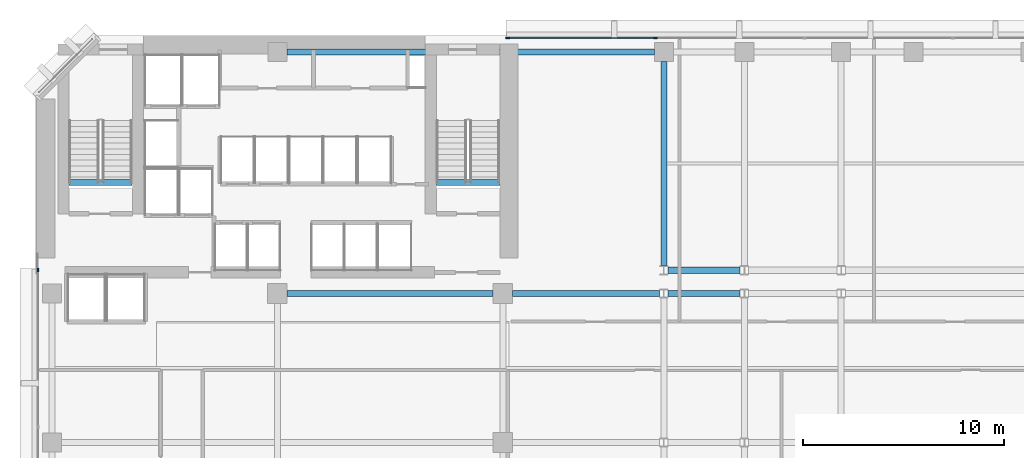
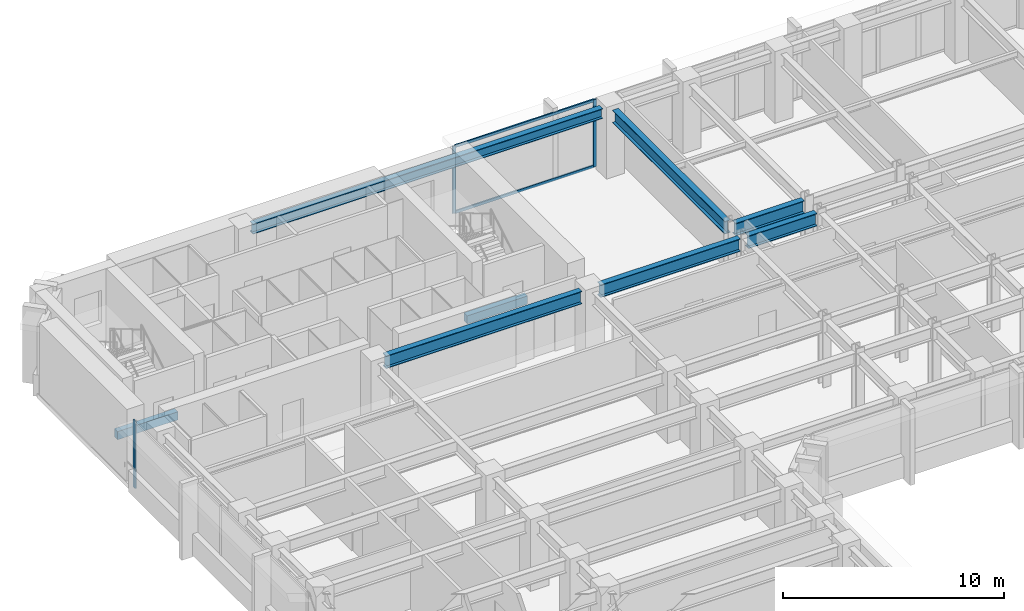
# One storey, part 4 of 13: 8 beams, 5 members, 2 elements without a shape of their own.
"""IFC4 building model written with IfcOpenShell, lengths in metres."""

from ifc_helpers import new_model, si_unit, direction, frame, origin, origin_2d, place, context, subcontext, project, spatial, rectangle, i_section, extrude, material, layer, layer_set, material_profile, profile_set, type_object, element, aggregate, save


model = new_model("IFC4")

# Units and contexts
model_context = context("Model", 3, precision=1e-05, world=origin(), true_north=direction((0.0, 1.0)))
body_context = subcontext(model_context, "Body", "Model", "MODEL_VIEW")
ifc_project = project(units=[si_unit("LENGTHUNIT", "METRE"), si_unit("AREAUNIT", "SQUARE_METRE"), si_unit("VOLUMEUNIT", "CUBIC_METRE"), si_unit("PLANEANGLEUNIT", "RADIAN"), si_unit("MASSUNIT", "GRAM", prefix="KILO")], contexts=[model_context])

# Site, building, storey
site_placement = place(None, origin())
site = spatial("IfcSite", under=ifc_project, at=site_placement, CompositionType="ELEMENT")
building_placement = place(site_placement, origin())
building = spatial("IfcBuilding", under=site, at=building_placement, Name="Kefirva Bronze Tower", CompositionType="ELEMENT")
storey_placement = place(building_placement, frame((0.0, 0.0, 98.669921875)))
storey = spatial("IfcBuildingStorey", under=building, at=storey_placement, Name="L23", CompositionType="ELEMENT", Elevation=98.669921875)

# Curtain wall, members
ifc_material_1 = material(Name="Bronze anodised aluminium", Category="aluminium")
ifc_layer = layer(ifc_material_1, 0.199951171875, Name="Bronze anodised aluminium")
ifc_layer_set = layer_set([ifc_layer], Name="Bronze anodised aluminium")
curtain_wall_type = type_object("IfcCurtainWallType", Name="Unitised Bronze Ribbon Curtain Wall Zone 1", PredefinedType="USERDEFINED", material=ifc_layer_set)
curtain_wall_1_placement = place(storey_placement, origin())
curtain_wall_1 = element("IfcCurtainWall", 1, at=curtain_wall_1_placement, inside=storey, type_object=curtain_wall_type, Name="L23 Curtain Wall 4", ObjectType="UNITISED CURTAIN WALL", PredefinedType="USERDEFINED")
ifc_material_profile_1 = material_profile(ifc_material_1, rectangle(XDim=0.074951171875, YDim=0.179931640625, at=origin_2d()), Name="ALU 75x180")
ifc_profile_set_1 = profile_set([ifc_material_profile_1], Name="Bronze anodised aluminium")
member_type_1 = type_object("IfcMemberType", Name="Bronze Mullion 75x180", PredefinedType="MULLION", material=ifc_profile_set_1)
member_1_placement = place(storey_placement, frame((30.7900390625, 45.8798828125, 0.0), z_axis=(0.0, 0.0, 1.0), x_axis=(0.0, -1.0, 0.0)))
member_1 = element("IfcMember", 2, at=member_1_placement, type_object=member_type_1, Name="CW-01 mullion 4", PredefinedType="MULLION", context=body_context, shape_type="SweptSolid", body=[
    extrude(rectangle(XDim=0.074951171875, YDim=0.179931640625, at=origin_2d()), origin(), (0.0, 0.0, 1.0), 3.7099609375),
])
member_2_placement = place(storey_placement, frame((23.4423828125, 45.8798828125, 0.0), z_axis=(0.0, 0.0, 1.0), x_axis=(0.0, -1.0, 0.0)))
member_2 = element("IfcMember", 3, at=member_2_placement, type_object=member_type_1, Name="CW-01 mullion 5", PredefinedType="MULLION", context=body_context, shape_type="SweptSolid", body=[
    extrude(rectangle(XDim=0.074951171875, YDim=0.179931640625, at=origin_2d()), origin(), (0.0, 0.0, 1.0), 3.7099609375),
])

# Curtain wall, member
curtain_wall_2_placement = place(storey_placement, origin())
curtain_wall_2 = element("IfcCurtainWall", 4, at=curtain_wall_2_placement, inside=storey, type_object=curtain_wall_type, Name="L23 Curtain Wall 5", ObjectType="UNITISED CURTAIN WALL", PredefinedType="USERDEFINED")
member_3_placement = place(storey_placement, frame((0.1201171875, 34.357421875, 0.0), z_axis=(0.0, 0.0, 1.0), x_axis=(1.0, 0.0, 0.0)))
member_3 = element("IfcMember", 5, at=member_3_placement, type_object=member_type_1, Name="CW-01 mullion 1", PredefinedType="MULLION", context=body_context, shape_type="SweptSolid", body=[
    extrude(rectangle(XDim=0.074951171875, YDim=0.179931640625, at=origin_2d()), origin(), (0.0, 0.0, 1.0), 3.7099609375),
])
aggregate(curtain_wall_2, [member_3])

# Member
ifc_material_profile_2 = material_profile(ifc_material_1, rectangle(XDim=0.074951171875, YDim=0.14990234375, at=origin_2d()), Name="ALU 75x150")
ifc_profile_set_2 = profile_set([ifc_material_profile_2], Name="Bronze anodised aluminium")
member_type_2 = type_object("IfcMemberType", Name="Bronze Transom 75x150", PredefinedType="USERDEFINED", material=ifc_profile_set_2)
member_4_placement = place(storey_placement, frame((30.75244140625, 45.8798828125, 0.03759765625), z_axis=(-1.0, 0.0, 0.0), x_axis=(0.0, -1.0, 0.0)))
member_4 = element("IfcMember", 6, at=member_4_placement, type_object=member_type_2, Name="CW-01 transom 4.1", ObjectType="TRANSOM", PredefinedType="USERDEFINED", context=body_context, shape_type="SweptSolid", body=[
    extrude(rectangle(XDim=0.074951171875, YDim=0.14990234375, at=origin_2d()), origin(), (0.0, 0.0, 1.0), 7.2724609375),
])

member_5_placement = place(storey_placement, frame((30.75244140625, 45.8798828125, 3.672607421875), z_axis=(-1.0, 0.0, 0.0), x_axis=(0.0, -1.0, 0.0)))
member_5 = element("IfcMember", 7, at=member_5_placement, type_object=member_type_2, Name="CW-01 transom 4.2", ObjectType="TRANSOM", PredefinedType="USERDEFINED", context=body_context, shape_type="SweptSolid", body=[
    extrude(rectangle(XDim=0.074951171875, YDim=0.14990234375, at=origin_2d()), origin(), (0.0, 0.0, 1.0), 7.2724609375),
])

aggregate(curtain_wall_1, [member_1, member_2, member_4, member_5])

# Beams
ifc_material_2 = material(Name="Concrete C50/60", Category="concrete")
ifc_material_profile_3 = material_profile(ifc_material_2, rectangle(XDim=0.300048828125, YDim=0.449951171875, at=origin_2d()), Name="RC 300x450")
ifc_profile_set_3 = profile_set([ifc_material_profile_3], Name="Concrete C50/60")
beam_type_1 = type_object("IfcBeamType", Name="RC Stair Trimmer Beam 300x450", PredefinedType="BEAM", material=ifc_profile_set_3)
beam_1_placement = place(storey_placement, frame((1.64501953125, 38.699951171875, -0.224853515625), z_axis=(1.0, 0.0, 0.0), x_axis=(0.0, 1.0, 0.0)))
element("IfcBeam", 8, at=beam_1_placement, inside=storey, type_object=beam_type_1, Name="L23 Stair 1 Landing Trimmer Beam", PredefinedType="BEAM", context=body_context, shape_type="SweptSolid", body=[
    extrude(rectangle(XDim=0.300048828125, YDim=0.449951171875, at=origin_2d()), origin(), (0.0, 0.0, 1.0), 3.14990234375),
])
beam_2_placement = place(storey_placement, frame((19.89501953125, 38.699951171875, -0.224853515625), z_axis=(1.0, 0.0, 0.0), x_axis=(0.0, 1.0, 0.0)))
element("IfcBeam", 9, at=beam_2_placement, inside=storey, type_object=beam_type_1, Name="L23 Stair 2 Landing Trimmer Beam", PredefinedType="BEAM", context=body_context, shape_type="SweptSolid", body=[
    extrude(rectangle(XDim=0.300048828125, YDim=0.449951171875, at=origin_2d()), origin(), (0.0, 0.0, 1.0), 3.159912109375),
])
ifc_material_3 = material(Name="Steel S355", Category="steel")
ifc_material_profile_4 = material_profile(ifc_material_3, i_section(OverallWidth=0.300048828125, OverallDepth=0.699951171875, WebThickness=0.01708984375, FlangeThickness=0.031982421875, at=origin_2d()), Name="HEB 700")
ifc_profile_set_4 = profile_set([ifc_material_profile_4], Name="Steel S355")
beam_type_2 = type_object("IfcBeamType", Name="Steel Girder HEB 700", PredefinedType="USERDEFINED", material=ifc_profile_set_4)
beam_3_placement = place(storey_placement, frame((12.489990234375, 33.199951171875, 3.360107421875), z_axis=(1.0, 0.0, 0.0), x_axis=(0.0, 1.0, 0.0)))
element("IfcBeam", 10, at=beam_3_placement, inside=storey, type_object=beam_type_2, Name="L23 BM-L23-EW-12-332", ObjectType="GIRDER", PredefinedType="USERDEFINED", context=body_context, shape_type="SweptSolid", body=[
    extrude(i_section(OverallWidth=0.300048828125, OverallDepth=0.699951171875, WebThickness=0.01708984375, FlangeThickness=0.031982421875, at=origin_2d()), origin(), (0.0, 0.0, 1.0), 10.219970703125),
])
beam_4_placement = place(storey_placement, frame((23.68994140625, 33.199951171875, 3.360107421875), z_axis=(1.0, 0.0, 0.0), x_axis=(0.0, 1.0, 0.0)))
element("IfcBeam", 11, at=beam_4_placement, inside=storey, type_object=beam_type_2, Name="L23 BM-L23-EW-23-332", ObjectType="GIRDER", PredefinedType="USERDEFINED", context=body_context, shape_type="SweptSolid", body=[
    extrude(i_section(OverallWidth=0.300048828125, OverallDepth=0.699951171875, WebThickness=0.01708984375, FlangeThickness=0.031982421875, at=origin_2d()), origin(), (0.0, 0.0, 1.0), 7.301025390625),
])
for number, where, z_axis, x_axis, name in (
    (12, (31.408935546875, 33.199951171875, 3.360107421875), (1.0, 0.0, 0.0), (0.0, 1.0, 0.0), "L23 BM-L23-EW-31-332"),
    (13, (31.408935546875, 34.35009765625, 3.360107421875), (1.0, 0.0, 0.0), (0.0, 1.0, 0.0), "L23 BM-L23-EW-31-344"),
):
    element("IfcBeam", number, at=place(storey_placement, frame(where, z_axis=z_axis, x_axis=x_axis)), inside=storey, type_object=beam_type_2, Name=name, ObjectType="GIRDER", PredefinedType="USERDEFINED", context=body_context, shape_type="SweptSolid", body=[
        extrude(i_section(OverallWidth=0.300048828125, OverallDepth=0.699951171875, WebThickness=0.01708984375, FlangeThickness=0.031982421875, at=origin_2d()), origin(), (0.0, 0.0, 1.0), 3.58203125),
    ])
beam_5_placement = place(storey_placement, frame((31.199951171875, 34.577392578125, 3.360107421875), z_axis=(0.0, 1.0, 0.0), x_axis=(-1.0, 0.0, 0.0)))
element("IfcBeam", 14, at=beam_5_placement, inside=storey, type_object=beam_type_2, Name="L23 BM-L23-NS-312-34", ObjectType="GIRDER", PredefinedType="USERDEFINED", context=body_context, shape_type="SweptSolid", body=[
    extrude(i_section(OverallWidth=0.300048828125, OverallDepth=0.699951171875, WebThickness=0.01708984375, FlangeThickness=0.031982421875, at=origin_2d()), origin(), (0.0, 0.0, 1.0), 10.152587890625),
])
ifc_material_profile_5 = material_profile(ifc_material_3, i_section(OverallWidth=0.300048828125, OverallDepth=0.550048828125, WebThickness=0.014892578125, FlangeThickness=0.029052734375, at=origin_2d()), Name="HEB 550")
ifc_profile_set_5 = profile_set([ifc_material_profile_5], Name="Steel S355")
beam_type_3 = type_object("IfcBeamType", Name="Steel Spandrel HEB 550 Ext", PredefinedType="SPANDREL", material=ifc_profile_set_5)
beam_6_placement = place(storey_placement, frame((12.469970703125, 45.199951171875, 3.43505859375), z_axis=(1.0, 0.0, 0.0), x_axis=(0.0, 1.0, 0.0)))
element("IfcBeam", 15, at=beam_6_placement, inside=storey, type_object=beam_type_3, Name="L23 BM-L23-EW-12-452", PredefinedType="SPANDREL", context=body_context, shape_type="SweptSolid", body=[
    extrude(i_section(OverallWidth=0.300048828125, OverallDepth=0.550048828125, WebThickness=0.014892578125, FlangeThickness=0.029052734375, at=origin_2d()), origin(), (0.0, 0.0, 1.0), 18.260009765625),
])

save(model, "model.ifc")
